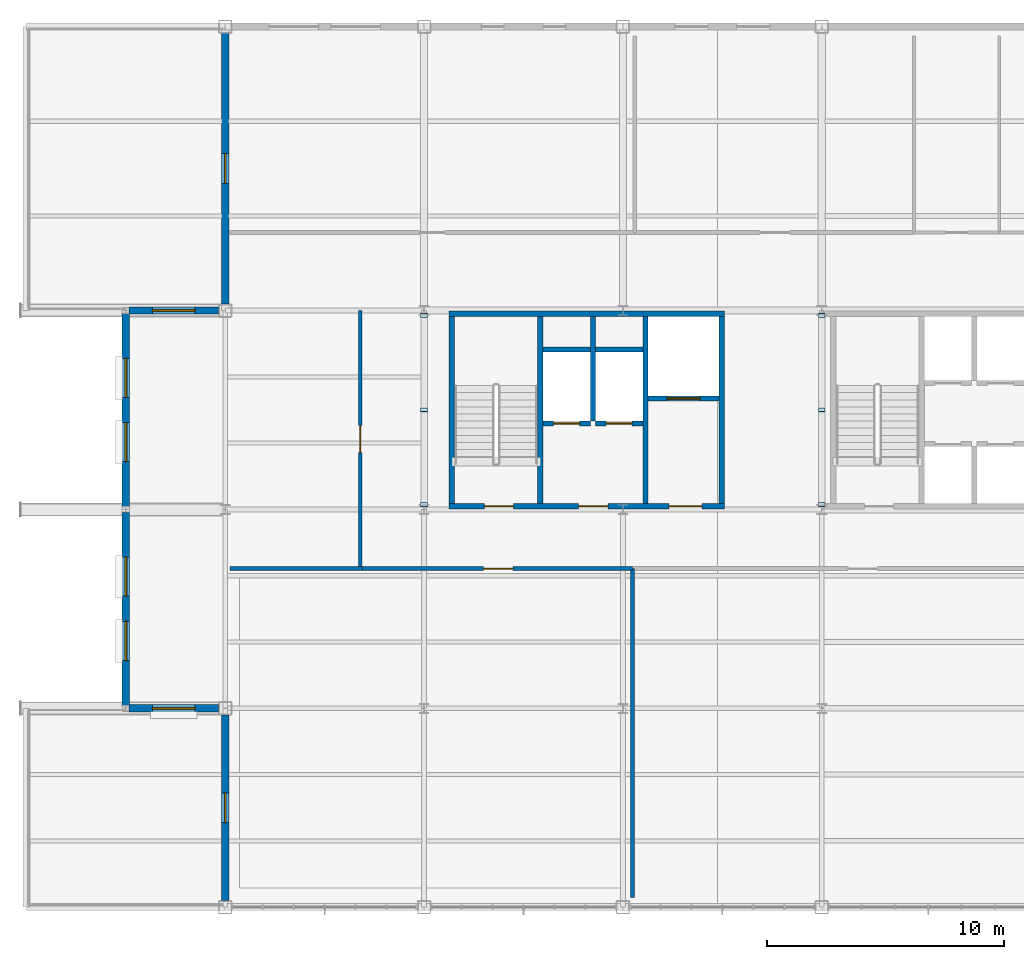
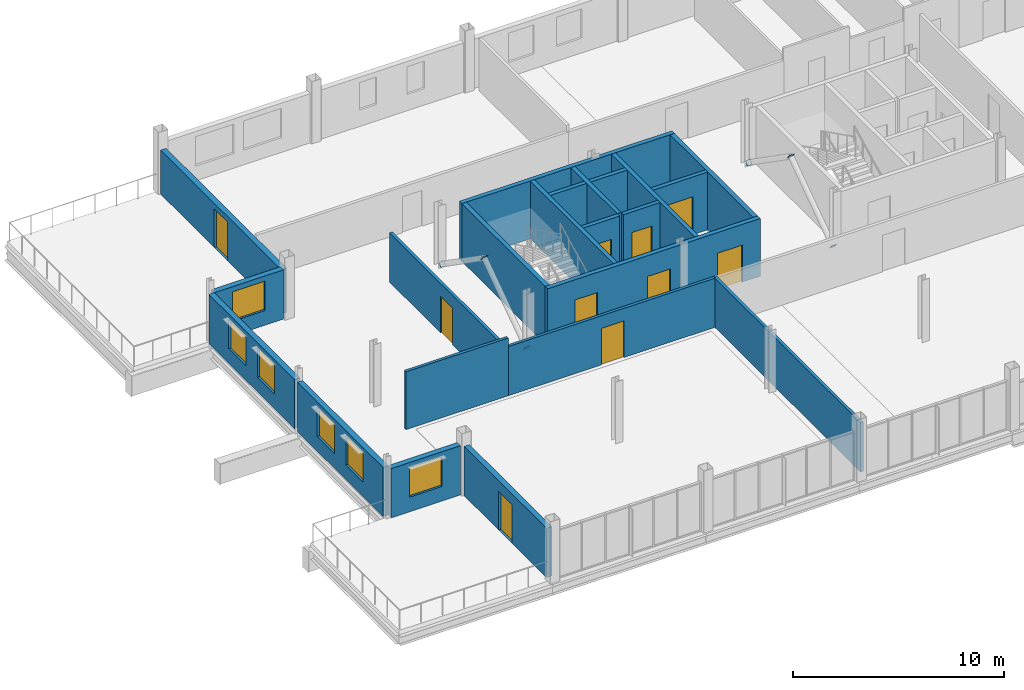
# One storey, part 13 of 18: 22 walls, 10 doors, 6 plates, 6 windows, 16 openings.
"""IFC4 building model written with IfcOpenShell, lengths in metres."""

from ifc_helpers import new_model, si_unit, direction, frame, frame_2d, origin, origin_2d, place, context, subcontext, project, spatial, rectangle, extrude, material, layer, layer_set, type_object, element, fill, save


model = new_model("IFC4")

# Units and contexts
model_context = context("Model", 3, precision=1e-05, world=origin(), true_north=direction((0.0, 1.0)))
body_context = subcontext(model_context, "Body", "Model", "MODEL_VIEW")
ifc_project = project(units=[si_unit("LENGTHUNIT", "METRE"), si_unit("AREAUNIT", "SQUARE_METRE"), si_unit("VOLUMEUNIT", "CUBIC_METRE"), si_unit("PLANEANGLEUNIT", "RADIAN"), si_unit("MASSUNIT", "GRAM", prefix="KILO")], contexts=[model_context])

# Site, building, storey
site_placement = place(None, origin())
site = spatial("IfcSite", under=ifc_project, at=site_placement, CompositionType="ELEMENT")
building_placement = place(site_placement, origin())
building = spatial("IfcBuilding", under=site, at=building_placement, Name="Yukiwa Park Conservatory and Herbarium", CompositionType="ELEMENT")
storey_placement = place(building_placement, frame((0.0, 0.0, 21.0)))
storey = spatial("IfcBuildingStorey", under=building, at=storey_placement, Name="L05", CompositionType="ELEMENT", Elevation=21.0)

# Plates
ifc_material_1 = material(Name="Steel Q355D", Category="steel")
ifc_layer_1 = layer(ifc_material_1, 0.02392578125)
ifc_layer_set_1 = layer_set([ifc_layer_1], Name="Steel Q355D")
plate_type = type_object("IfcPlateType", Name="PL-CAP-24-INT", PredefinedType="USERDEFINED", material=ifc_layer_set_1)
for number, where, z_axis, x_axis, name in (
    (1, (133.199951171875, 95.011962890625, 0.197265625), (0.0, -0.822557603224, -0.56868179976), (1.0, 0.0, 0.0), "Hollow section end cap plate CAP-BR-L05-033A"),
    (2, (133.199951171875, 98.993408203125, 2.970458984375), (0.0, 0.822557603224, 0.56868179976), (-1.0, 0.0, 0.0), "Hollow section end cap plate CAP-BR-L05-033B"),
    (3, (133.199951171875, 102.988037109375, 0.197265625), (0.0, 0.822557603224, -0.56868179976), (-1.0, 0.0, 0.0), "Hollow section end cap plate CAP-BR-L05-034A"),
    (4, (150.0, 95.011962890625, 0.197265625), (0.0, -0.822557603224, -0.56868179976), (1.0, 0.0, 0.0), "Hollow section end cap plate CAP-BR-L05-035A"),
    (5, (150.0, 98.993408203125, 2.970458984375), (0.0, 0.822557603224, 0.56868179976), (-1.0, 0.0, 0.0), "Hollow section end cap plate CAP-BR-L05-035B"),
    (6, (150.0, 102.988037109375, 0.197265625), (0.0, 0.822557603224, -0.56868179976), (-1.0, 0.0, 0.0), "Hollow section end cap plate CAP-BR-L05-036A"),
):
    element("IfcPlate", number, at=place(storey_placement, frame(where, z_axis=z_axis, x_axis=x_axis)), inside=storey, type_object=plate_type, Name=name, ObjectType="END CAP PLATE", PredefinedType="USERDEFINED", context=body_context, shape_type="SweptSolid", body=[
        extrude(rectangle(XDim=0.281005859375, YDim=0.281005859375, at=origin_2d()), origin(), (0.0, 0.0, 1.0), 0.02392578125),
    ])

# Walls
ifc_material_2 = material(Name="Concrete C40", Category="concrete")
ifc_layer_2 = layer(ifc_material_2, 0.219970703125)
ifc_layer_set_2 = layer_set([ifc_layer_2], Name="Concrete C40")
wall_type_1 = type_object("IfcWallType", Name="WL-CORE-RC220", PredefinedType="SHEAR", material=ifc_layer_set_2)
wall_1_placement = place(storey_placement, frame((138.110107421875, 95.050048828125, 0.0), z_axis=(0.0, 0.0, 1.0), x_axis=(0.0, 1.0, 0.0)))
element("IfcWall", 7, at=wall_1_placement, inside=storey, type_object=wall_type_1, Name="L05 core shear wall 389", PredefinedType="SHEAR", context=body_context, shape_type="SweptSolid", body=[
    extrude(rectangle(XDim=7.89990234375, YDim=0.219970703125, at=frame_2d((3.949951171875, 0.0))), origin(), (0.0, 0.0, 1.0), 3.35009765625),
])
wall_2_placement = place(storey_placement, frame((140.330078125, 98.5400390625, 0.0), z_axis=(0.0, 0.0, 1.0), x_axis=(0.0, 1.0, 0.0)))
element("IfcWall", 8, at=wall_2_placement, inside=storey, type_object=wall_type_1, Name="L05 core shear wall 390", PredefinedType="SHEAR", context=body_context, shape_type="SweptSolid", body=[
    extrude(rectangle(XDim=4.409912109375, YDim=0.219970703125, at=frame_2d((2.205078125, 0.0))), origin(), (0.0, 0.0, 1.0), 3.35009765625),
])
wall_3_placement = place(storey_placement, frame((142.550048828125, 95.050048828125, 0.0), z_axis=(0.0, 0.0, 1.0), x_axis=(0.0, 1.0, 0.0)))
element("IfcWall", 9, at=wall_3_placement, inside=storey, type_object=wall_type_1, Name="L05 core shear wall 391", PredefinedType="SHEAR", context=body_context, shape_type="SweptSolid", body=[
    extrude(rectangle(XDim=7.89990234375, YDim=0.219970703125, at=frame_2d((3.949951171875, 0.0))), origin(), (0.0, 0.0, 1.0), 3.35009765625),
])

# Wall, opening, door
wall_4_placement = place(storey_placement, frame((138.219970703125, 98.429931640625, 0.0), z_axis=(0.0, 0.0, 1.0), x_axis=(1.0, 0.0, 0.0)))
wall_4 = element("IfcWall", 10, at=wall_4_placement, inside=storey, type_object=wall_type_1, Name="L05 core shear wall 393", PredefinedType="SHEAR", context=body_context, shape_type="SweptSolid", body=[
    extrude(rectangle(XDim=2.0, YDim=0.219970703125, at=frame_2d((1.0, 0.0))), origin(), (0.0, 0.0, 1.0), 3.35009765625),
])
opening_1_placement = place(wall_4_placement, frame((0.449951171875, 0.0, 0.0)))
opening_1 = element("IfcOpeningElement", 11, at=opening_1_placement, cuts=wall_4, Name="Opening LD-01", PredefinedType="OPENING", context=body_context, shape_type="SweptSolid", body=[
    extrude(rectangle(XDim=1.10009765625, YDim=2.14990234375, at=frame_2d((0.550048828125, 1.074951171875))), frame((0.0, 0.1201171875, 0.0), z_axis=(0.0, -1.0, 0.0), x_axis=(1.0, 0.0, 0.0)), (0.0, 0.0, 1.0), 0.239990234375),
])
ifc_material_3 = material(Name="Steel Q235B", Category="steel")
door_type_1 = type_object("IfcDoorType", Name="DR-LIFT-LD1100", OperationType="SLIDING_TO_LEFT", PredefinedType="DOOR", material=ifc_material_3)
door_1_placement = place(opening_1_placement, origin())
door_1 = element("IfcDoor", 12, at=door_1_placement, inside=storey, type_object=door_type_1, Name="L05 Firefighting Lift FL1 sliding landing door", OperationType="SLIDING_TO_LEFT", OverallHeight=2.14990234375, OverallWidth=1.10009765625, PredefinedType="DOOR", context=body_context, shape_type="SweptSolid", body=[
    extrude(rectangle(XDim=1.10009765625, YDim=2.14990234375, at=frame_2d((0.550048828125, 1.074951171875))), frame((0.0, 0.02490234375, 0.0), z_axis=(0.0, -1.0, 0.0), x_axis=(1.0, 0.0, 0.0)), (0.0, 0.0, 1.0), 0.050048828125),
])
fill(opening_1, door_1)

wall_5_placement = place(storey_placement, frame((140.43994140625, 98.429931640625, 0.0), z_axis=(0.0, 0.0, 1.0), x_axis=(1.0, 0.0, 0.0)))
wall_5 = element("IfcWall", 13, at=wall_5_placement, inside=storey, type_object=wall_type_1, Name="L05 core shear wall 394", PredefinedType="SHEAR", context=body_context, shape_type="SweptSolid", body=[
    extrude(rectangle(XDim=2.0, YDim=0.219970703125, at=frame_2d((1.0, 0.0))), origin(), (0.0, 0.0, 1.0), 3.35009765625),
])
opening_2_placement = place(wall_5_placement, frame((0.449951171875, 0.0, 0.0)))
opening_2 = element("IfcOpeningElement", 14, at=opening_2_placement, cuts=wall_5, Name="Opening LD-01", PredefinedType="OPENING", context=body_context, shape_type="SweptSolid", body=[
    extrude(rectangle(XDim=1.10009765625, YDim=2.14990234375, at=frame_2d((0.550048828125, 1.074951171875))), frame((0.0, 0.1201171875, 0.0), z_axis=(0.0, -1.0, 0.0), x_axis=(1.0, 0.0, 0.0)), (0.0, 0.0, 1.0), 0.239990234375),
])
door_2_placement = place(opening_2_placement, origin())
door_2 = element("IfcDoor", 15, at=door_2_placement, inside=storey, type_object=door_type_1, Name="L05 Firefighting Lift FL2 sliding landing door", OperationType="SLIDING_TO_LEFT", OverallHeight=2.14990234375, OverallWidth=1.10009765625, PredefinedType="DOOR", context=body_context, shape_type="SweptSolid", body=[
    extrude(rectangle(XDim=1.10009765625, YDim=2.14990234375, at=frame_2d((0.550048828125, 1.074951171875))), frame((0.0, 0.02490234375, 0.0), z_axis=(0.0, -1.0, 0.0), x_axis=(1.0, 0.0, 0.0)), (0.0, 0.0, 1.0), 0.050048828125),
])
fill(opening_2, door_2)

# Walls
for number, where, z_axis, x_axis, name in (
    (16, (138.219970703125, 101.550048828125, 0.0), (0.0, 0.0, 1.0), (1.0, 0.0, 0.0), "L05 core shear wall 395"),
    (17, (140.43994140625, 101.550048828125, 0.0), (0.0, 0.0, 1.0), (1.0, 0.0, 0.0), "L05 core shear wall 396"),
):
    element("IfcWall", number, at=place(storey_placement, frame(where, z_axis=z_axis, x_axis=x_axis)), inside=storey, type_object=wall_type_1, Name=name, PredefinedType="SHEAR", context=body_context, shape_type="SweptSolid", body=[
        extrude(rectangle(XDim=2.0, YDim=0.219970703125, at=frame_2d((1.0, 0.0))), origin(), (0.0, 0.0, 1.0), 3.35009765625),
    ])

# Wall, opening, door
wall_6_placement = place(storey_placement, frame((142.659912109375, 99.489990234375, 0.0), z_axis=(0.0, 0.0, 1.0), x_axis=(1.0, 0.0, 0.0)))
wall_6 = element("IfcWall", 18, at=wall_6_placement, inside=storey, type_object=wall_type_1, Name="L05 core shear wall 397", PredefinedType="SHEAR", context=body_context, shape_type="SweptSolid", body=[
    extrude(rectangle(XDim=3.0, YDim=0.219970703125, at=frame_2d((1.5, 0.0))), origin(), (0.0, 0.0, 1.0), 3.35009765625),
])
opening_3_placement = place(wall_6_placement, frame((0.800048828125, 0.0, 0.0)))
opening_3 = element("IfcOpeningElement", 19, at=opening_3_placement, cuts=wall_6, Name="Opening LD-02", PredefinedType="OPENING", context=body_context, shape_type="SweptSolid", body=[
    extrude(rectangle(XDim=1.39990234375, YDim=2.199951171875, at=frame_2d((0.699951171875, 1.10009765625))), frame((0.0, 0.1201171875, 0.0), z_axis=(0.0, -1.0, 0.0), x_axis=(1.0, 0.0, 0.0)), (0.0, 0.0, 1.0), 0.239990234375),
])
ifc_material_4 = material(Name="Steel Q235B", Category="steel")
door_type_2 = type_object("IfcDoorType", Name="DR-LIFT-LD1400", OperationType="SLIDING_TO_LEFT", PredefinedType="DOOR", material=ifc_material_4)
door_3_placement = place(opening_3_placement, origin())
door_3 = element("IfcDoor", 20, at=door_3_placement, inside=storey, type_object=door_type_2, Name="L05 Goods Lift GL1 sliding landing door", OperationType="SLIDING_TO_LEFT", OverallHeight=2.199951171875, OverallWidth=1.39990234375, PredefinedType="DOOR", context=body_context, shape_type="SweptSolid", body=[
    extrude(rectangle(XDim=1.39990234375, YDim=2.199951171875, at=frame_2d((0.699951171875, 1.10009765625))), frame((0.0, 0.02490234375, 0.0), z_axis=(0.0, -1.0, 0.0), x_axis=(1.0, 0.0, 0.0)), (0.0, 0.0, 1.0), 0.050048828125),
])
fill(opening_3, door_3)

# Wall, openings, doors
ifc_material_5 = material(Name="Concrete C50", Category="concrete")
ifc_layer_3 = layer(ifc_material_5, 0.239990234375)
ifc_layer_set_3 = layer_set([ifc_layer_3], Name="Concrete C50")
wall_type_2 = type_object("IfcWallType", Name="WL-CORE-RC240", PredefinedType="SHEAR", material=ifc_layer_set_3)
wall_7_placement = place(storey_placement, frame((134.25, 94.929931640625, 0.0), z_axis=(0.0, 0.0, 1.0), x_axis=(1.0, 0.0, 0.0)))
wall_7 = element("IfcWall", 21, at=wall_7_placement, inside=storey, type_object=wall_type_2, Name="L05 core shear wall 386", PredefinedType="SHEAR", context=body_context, shape_type="SweptSolid", body=[
    extrude(rectangle(XDim=11.64990234375, YDim=0.239990234375, at=frame_2d((5.824951171875, 0.0))), origin(), (0.0, 0.0, 1.0), 3.35009765625),
])
opening_4_placement = place(wall_7_placement, frame((1.5, 0.0, 0.0)))
opening_4 = element("IfcOpeningElement", 22, at=opening_4_placement, cuts=wall_7, Name="Opening SD-01", PredefinedType="OPENING", context=body_context, shape_type="SweptSolid", body=[
    extrude(rectangle(XDim=1.219970703125, YDim=2.179931640625, at=frame_2d((0.60986328125, 1.08984375))), frame((0.0, 0.1298828125, 0.0), z_axis=(0.0, -1.0, 0.0), x_axis=(1.0, 0.0, 0.0)), (0.0, 0.0, 1.0), 0.260009765625),
])
opening_5_placement = place(wall_7_placement, frame((5.47998046875, 0.0, 0.0)))
opening_5 = element("IfcOpeningElement", 23, at=opening_5_placement, cuts=wall_7, Name="Opening FD-02", PredefinedType="OPENING", context=body_context, shape_type="SweptSolid", body=[
    extrude(rectangle(XDim=1.239990234375, YDim=2.14990234375, at=frame_2d((0.6201171875, 1.074951171875))), frame((0.0, 0.1298828125, 0.0), z_axis=(0.0, -1.0, 0.0), x_axis=(1.0, 0.0, 0.0)), (0.0, 0.0, 1.0), 0.260009765625),
])
opening_6_placement = place(wall_7_placement, frame((9.300048828125, 0.0, 0.0)))
opening_6 = element("IfcOpeningElement", 24, at=opening_6_placement, cuts=wall_7, Name="Opening FD-06", PredefinedType="OPENING", context=body_context, shape_type="SweptSolid", body=[
    extrude(rectangle(XDim=1.3798828125, YDim=2.14990234375, at=frame_2d((0.68994140625, 1.074951171875))), frame((0.0, 0.1298828125, 0.0), z_axis=(0.0, -1.0, 0.0), x_axis=(1.0, 0.0, 0.0)), (0.0, 0.0, 1.0), 0.260009765625),
])
ifc_material_6 = material(Name="Steel Q235B", Category="steel")
door_type_3 = type_object("IfcDoorType", Name="DR-FIRE-FD60-1400", OperationType="DOUBLE_DOOR_SINGLE_SWING", PredefinedType="DOOR", material=ifc_material_6)
door_4_placement = place(opening_6_placement, frame((1.3798828125, 0.0, 0.0), z_axis=(0.0, 0.0, 1.0), x_axis=(-1.0, 0.0, 0.0)))
door_4 = element("IfcDoor", 25, at=door_4_placement, inside=storey, type_object=door_type_3, Name="L05 Goods Lift Lobby double fire door", OperationType="DOUBLE_DOOR_SINGLE_SWING", OverallHeight=2.14990234375, OverallWidth=1.3798828125, PredefinedType="DOOR", context=body_context, shape_type="SweptSolid", body=[
    extrude(rectangle(XDim=1.3798828125, YDim=2.14990234375, at=frame_2d((0.68994140625, 1.074951171875))), frame((0.0, 0.02490234375, 0.0), z_axis=(0.0, -1.0, 0.0), x_axis=(1.0, 0.0, 0.0)), (0.0, 0.0, 1.0), 0.050048828125),
])
fill(opening_6, door_4)
ifc_material_7 = material(Name="Steel Q235B", Category="steel")
door_type_4 = type_object("IfcDoorType", Name="DR-FIRE-FD90-1200", OperationType="SINGLE_SWING_RIGHT", PredefinedType="DOOR", material=ifc_material_7)
door_5_placement = place(opening_5_placement, frame((1.239990234375, 0.0, 0.0), z_axis=(0.0, 0.0, 1.0), x_axis=(-1.0, 0.0, 0.0)))
door_5 = element("IfcDoor", 26, at=door_5_placement, inside=storey, type_object=door_type_4, Name="L05 Firefighting Lift Lobby fire door", OperationType="SINGLE_SWING_RIGHT", OverallHeight=2.14990234375, OverallWidth=1.239990234375, PredefinedType="DOOR", context=body_context, shape_type="SweptSolid", body=[
    extrude(rectangle(XDim=1.239990234375, YDim=2.14990234375, at=frame_2d((0.6201171875, 1.074951171875))), frame((0.0, 0.02490234375, 0.0), z_axis=(0.0, -1.0, 0.0), x_axis=(1.0, 0.0, 0.0)), (0.0, 0.0, 1.0), 0.050048828125),
])
fill(opening_5, door_5)
ifc_material_8 = material(Name="Steel Q235B", Category="steel")
door_type_5 = type_object("IfcDoorType", Name="DR-STAIR-FD90-1200", OperationType="SINGLE_SWING_LEFT", PredefinedType="DOOR", material=ifc_material_8)
door_6_placement = place(opening_4_placement, origin())
door_6 = element("IfcDoor", 27, at=door_6_placement, inside=storey, type_object=door_type_5, Name="L05 Stairwell ST-T1 fire door", OperationType="SINGLE_SWING_LEFT", OverallHeight=2.179931640625, OverallWidth=1.219970703125, PredefinedType="DOOR", context=body_context, shape_type="SweptSolid", body=[
    extrude(rectangle(XDim=1.219970703125, YDim=2.179931640625, at=frame_2d((0.60986328125, 1.08984375))), frame((0.0, 0.02490234375, 0.0), z_axis=(0.0, -1.0, 0.0), x_axis=(1.0, 0.0, 0.0)), (0.0, 0.0, 1.0), 0.050048828125),
])
fill(opening_4, door_6)

# Walls
wall_8_placement = place(storey_placement, frame((134.25, 103.070068359375, 0.0), z_axis=(0.0, 0.0, 1.0), x_axis=(1.0, 0.0, 0.0)))
element("IfcWall", 28, at=wall_8_placement, inside=storey, type_object=wall_type_2, Name="L05 core shear wall 387", PredefinedType="SHEAR", context=body_context, shape_type="SweptSolid", body=[
    extrude(rectangle(XDim=11.64990234375, YDim=0.239990234375, at=frame_2d((5.824951171875, 0.0))), origin(), (0.0, 0.0, 1.0), 3.35009765625),
])
for number, where, z_axis, x_axis, name in (
    (29, (134.3701171875, 95.050048828125, 0.0), (0.0, 0.0, 1.0), (0.0, 1.0, 0.0), "L05 core shear wall 388"),
    (30, (145.780029296875, 95.050048828125, 0.0), (0.0, 0.0, 1.0), (0.0, 1.0, 0.0), "L05 core shear wall 392"),
):
    element("IfcWall", number, at=place(storey_placement, frame(where, z_axis=z_axis, x_axis=x_axis)), inside=storey, type_object=wall_type_2, Name=name, PredefinedType="SHEAR", context=body_context, shape_type="SweptSolid", body=[
        extrude(rectangle(XDim=7.89990234375, YDim=0.239990234375, at=frame_2d((3.949951171875, 0.0))), origin(), (0.0, 0.0, 1.0), 3.35009765625),
    ])

# Wall, opening, window
ifc_material_9 = material(Name="Pale Granite Cladding", Category="masonry")
ifc_layer_4 = layer(ifc_material_9, 0.300048828125)
ifc_layer_set_4 = layer_set([ifc_layer_4], Name="Pale Granite Cladding")
wall_type_3 = type_object("IfcWallType", Name="WL-EXT-GRAN-300", PredefinedType="SOLIDWALL", material=ifc_layer_set_4)
wall_9_placement = place(storey_placement, frame((120.72509765625, 86.39990234375, 0.0), z_axis=(0.0, 0.0, 1.0), x_axis=(1.0, 0.0, 0.0)))
wall_9 = element("IfcWall", 31, at=wall_9_placement, inside=storey, type_object=wall_type_3, Name="L05 exterior envelope wall 275", PredefinedType="SOLIDWALL", context=body_context, shape_type="SweptSolid", body=[
    extrude(rectangle(XDim=3.7998046875, YDim=0.300048828125, at=frame_2d((1.89990234375, 0.0))), origin(), (0.0, 0.0, 1.0), 2.85595703125),
])
opening_7_placement = place(wall_9_placement, frame((1.0, 0.0, 0.85009765625)))
opening_7 = element("IfcOpeningElement", 32, at=opening_7_placement, cuts=wall_9, Name="Opening W-07", PredefinedType="OPENING", context=body_context, shape_type="SweptSolid", body=[
    extrude(rectangle(XDim=1.800048828125, YDim=1.7099609375, at=frame_2d((0.89990234375, 0.85498046875))), frame((0.0, 0.16015625, 0.0), z_axis=(0.0, -1.0, 0.0), x_axis=(1.0, 0.0, 0.0)), (0.0, 0.0, 1.0), 0.320068359375),
])
ifc_material_10 = material(Name="Triple Low-E Insulated Glass", Category="glass")
window_type_1 = type_object("IfcWindowType", Name="WN-TW-1800X2100", PartitioningType="SINGLE_PANEL", PredefinedType="WINDOW", material=ifc_material_10)
window_1_placement = place(opening_7_placement, origin())
window_1 = element("IfcWindow", 33, at=window_1_placement, inside=storey, type_object=window_type_1, Name="L05 deep-reveal triple-glazed window 219", OverallHeight=1.7099609375, OverallWidth=1.800048828125, PartitioningType="SINGLE_PANEL", PredefinedType="WINDOW", context=body_context, shape_type="SweptSolid", body=[
    extrude(rectangle(XDim=1.800048828125, YDim=1.7099609375, at=frame_2d((0.89990234375, 0.85498046875))), frame((0.0, 0.030029296875, 0.0), z_axis=(0.0, -1.0, 0.0), x_axis=(1.0, 0.0, 0.0)), (0.0, 0.0, 1.0), 0.06005859375),
])
fill(opening_7, window_1)

# Wall, opening, door
wall_10_placement = place(storey_placement, frame((124.800048828125, 86.125, 0.0), z_axis=(0.0, 0.0, 1.0), x_axis=(0.0, -1.0, 0.0)))
wall_10 = element("IfcWall", 34, at=wall_10_placement, inside=storey, type_object=wall_type_3, Name="L05 exterior envelope wall 276", PredefinedType="SOLIDWALL", context=body_context, shape_type="SweptSolid", body=[
    extrude(rectangle(XDim=7.85009765625, YDim=0.300048828125, at=frame_2d((3.925048828125, 0.0))), origin(), (0.0, 0.0, 1.0), 2.85009765625),
])
opening_8_placement = place(wall_10_placement, frame((3.294921875, 0.0, 0.0)))
opening_8 = element("IfcOpeningElement", 35, at=opening_8_placement, cuts=wall_10, Name="Opening TD-01", PredefinedType="OPENING", context=body_context, shape_type="SweptSolid", body=[
    extrude(rectangle(XDim=1.260009765625, YDim=2.239990234375, at=frame_2d((0.6298828125, 1.1201171875))), frame((0.0, 0.16015625, 0.0), z_axis=(0.0, -1.0, 0.0), x_axis=(1.0, 0.0, 0.0)), (0.0, 0.0, 1.0), 0.320068359375),
])
ifc_material_11 = material(Name="Steel Q235B", Category="steel")
door_type_6 = type_object("IfcDoorType", Name="DR-EXT-TER1200", OperationType="SINGLE_SWING_LEFT", PredefinedType="DOOR", material=ifc_material_11)
door_7_placement = place(opening_8_placement, frame((1.260009765625, 0.0, 0.0), z_axis=(0.0, 0.0, 1.0), x_axis=(-1.0, 0.0, 0.0)))
door_7 = element("IfcDoor", 36, at=door_7_placement, inside=storey, type_object=door_type_6, Name="L05 South-West Sky Terrace door", OperationType="SINGLE_SWING_LEFT", OverallHeight=2.239990234375, OverallWidth=1.260009765625, PredefinedType="DOOR", context=body_context, shape_type="SweptSolid", body=[
    extrude(rectangle(XDim=1.260009765625, YDim=2.239990234375, at=frame_2d((0.6298828125, 1.1201171875))), frame((0.0, 0.02490234375, 0.0), z_axis=(0.0, -1.0, 0.0), x_axis=(1.0, 0.0, 0.0)), (0.0, 0.0, 1.0), 0.050048828125),
])
fill(opening_8, door_7)

wall_11_placement = place(storey_placement, frame((124.800048828125, 114.925048828125, 0.0), z_axis=(0.0, 0.0, 1.0), x_axis=(0.0, -1.0, 0.0)))
wall_11 = element("IfcWall", 37, at=wall_11_placement, inside=storey, type_object=wall_type_3, Name="L05 exterior envelope wall 285", PredefinedType="SOLIDWALL", context=body_context, shape_type="SweptSolid", body=[
    extrude(rectangle(XDim=11.449951171875, YDim=0.300048828125, at=frame_2d((5.72509765625, 0.0))), origin(), (0.0, 0.0, 1.0), 2.55810546875),
])
opening_9_placement = place(wall_11_placement, frame((5.094970703125, 0.0, 0.0)))
opening_9 = element("IfcOpeningElement", 38, at=opening_9_placement, cuts=wall_11, Name="Opening TD-01", PredefinedType="OPENING", context=body_context, shape_type="SweptSolid", body=[
    extrude(rectangle(XDim=1.260009765625, YDim=2.239990234375, at=frame_2d((0.6298828125, 1.1201171875))), frame((0.0, 0.16015625, 0.0), z_axis=(0.0, -1.0, 0.0), x_axis=(1.0, 0.0, 0.0)), (0.0, 0.0, 1.0), 0.320068359375),
])
door_8_placement = place(opening_9_placement, frame((1.260009765625, 0.0, 0.0), z_axis=(0.0, 0.0, 1.0), x_axis=(-1.0, 0.0, 0.0)))
door_8 = element("IfcDoor", 39, at=door_8_placement, inside=storey, type_object=door_type_6, Name="L05 North-West Sky Terrace door", OperationType="SINGLE_SWING_LEFT", OverallHeight=2.239990234375, OverallWidth=1.260009765625, PredefinedType="DOOR", context=body_context, shape_type="SweptSolid", body=[
    extrude(rectangle(XDim=1.260009765625, YDim=2.239990234375, at=frame_2d((0.6298828125, 1.1201171875))), frame((0.0, 0.02490234375, 0.0), z_axis=(0.0, -1.0, 0.0), x_axis=(1.0, 0.0, 0.0)), (0.0, 0.0, 1.0), 0.050048828125),
])
fill(opening_9, door_8)

# Wall, opening, window
wall_12_placement = place(storey_placement, frame((124.52490234375, 103.199951171875, 0.0), z_axis=(0.0, 0.0, 1.0), x_axis=(-1.0, 0.0, 0.0)))
wall_12 = element("IfcWall", 40, at=wall_12_placement, inside=storey, type_object=wall_type_3, Name="L05 exterior envelope wall 286", PredefinedType="SOLIDWALL", context=body_context, shape_type="SweptSolid", body=[
    extrude(rectangle(XDim=3.7998046875, YDim=0.300048828125, at=frame_2d((1.89990234375, 0.0))), origin(), (0.0, 0.0, 1.0), 2.85595703125),
])
opening_10_placement = place(wall_12_placement, frame((1.0, 0.0, 0.85009765625)))
opening_10 = element("IfcOpeningElement", 41, at=opening_10_placement, cuts=wall_12, Name="Opening W-07", PredefinedType="OPENING", context=body_context, shape_type="SweptSolid", body=[
    extrude(rectangle(XDim=1.800048828125, YDim=1.7099609375, at=frame_2d((0.89990234375, 0.85498046875))), frame((0.0, 0.16015625, 0.0), z_axis=(0.0, -1.0, 0.0), x_axis=(1.0, 0.0, 0.0)), (0.0, 0.0, 1.0), 0.320068359375),
])
window_2_placement = place(opening_10_placement, origin())
window_2 = element("IfcWindow", 42, at=window_2_placement, inside=storey, type_object=window_type_1, Name="L05 deep-reveal triple-glazed window 228", OverallHeight=1.7099609375, OverallWidth=1.800048828125, PartitioningType="SINGLE_PANEL", PredefinedType="WINDOW", context=body_context, shape_type="SweptSolid", body=[
    extrude(rectangle(XDim=1.800048828125, YDim=1.7099609375, at=frame_2d((0.89990234375, 0.85498046875))), frame((0.0, 0.030029296875, 0.0), z_axis=(0.0, -1.0, 0.0), x_axis=(1.0, 0.0, 0.0)), (0.0, 0.0, 1.0), 0.06005859375),
])
fill(opening_10, window_2)

# Wall, openings, windows
wall_13_placement = place(storey_placement, frame((120.60009765625, 103.074951171875, 0.0), z_axis=(0.0, 0.0, 1.0), x_axis=(0.0, -1.0, 0.0)))
wall_13 = element("IfcWall", 43, at=wall_13_placement, inside=storey, type_object=wall_type_3, Name="L05 exterior envelope wall 287", PredefinedType="SOLIDWALL", context=body_context, shape_type="SweptSolid", body=[
    extrude(rectangle(XDim=8.14990234375, YDim=0.300048828125, at=frame_2d((4.074951171875, 0.0))), origin(), (0.0, 0.0, 1.0), 2.85009765625),
])
opening_11_placement = place(wall_13_placement, frame((1.89208984375, 0.0, 0.85009765625)))
opening_11 = element("IfcOpeningElement", 44, at=opening_11_placement, cuts=wall_13, Name="Opening W-06", PredefinedType="OPENING", context=body_context, shape_type="SweptSolid", body=[
    extrude(rectangle(XDim=1.64990234375, YDim=1.699951171875, at=frame_2d((0.824951171875, 0.85009765625))), frame((0.0, 0.16015625, 0.0), z_axis=(0.0, -1.0, 0.0), x_axis=(1.0, 0.0, 0.0)), (0.0, 0.0, 1.0), 0.320068359375),
])
opening_12_placement = place(wall_13_placement, frame((4.60791015625, 0.0, 0.85009765625)))
opening_12 = element("IfcOpeningElement", 45, at=opening_12_placement, cuts=wall_13, Name="Opening W-06", PredefinedType="OPENING", context=body_context, shape_type="SweptSolid", body=[
    extrude(rectangle(XDim=1.64990234375, YDim=1.699951171875, at=frame_2d((0.824951171875, 0.85009765625))), frame((0.0, 0.16015625, 0.0), z_axis=(0.0, -1.0, 0.0), x_axis=(1.0, 0.0, 0.0)), (0.0, 0.0, 1.0), 0.320068359375),
])
ifc_material_12 = material(Name="Triple Low-E Insulated Glass", Category="glass")
window_type_2 = type_object("IfcWindowType", Name="WN-TW-1650X2100", PartitioningType="SINGLE_PANEL", PredefinedType="WINDOW", material=ifc_material_12)
window_3_placement = place(opening_11_placement, origin())
window_3 = element("IfcWindow", 46, at=window_3_placement, inside=storey, type_object=window_type_2, Name="L05 deep-reveal triple-glazed window 229", OverallHeight=1.699951171875, OverallWidth=1.64990234375, PartitioningType="SINGLE_PANEL", PredefinedType="WINDOW", context=body_context, shape_type="SweptSolid", body=[
    extrude(rectangle(XDim=1.64990234375, YDim=1.699951171875, at=frame_2d((0.824951171875, 0.85009765625))), frame((0.0, 0.030029296875, 0.0), z_axis=(0.0, -1.0, 0.0), x_axis=(1.0, 0.0, 0.0)), (0.0, 0.0, 1.0), 0.06005859375),
])
fill(opening_11, window_3)
window_4_placement = place(opening_12_placement, origin())
window_4 = element("IfcWindow", 47, at=window_4_placement, inside=storey, type_object=window_type_2, Name="L05 deep-reveal triple-glazed window 230", OverallHeight=1.699951171875, OverallWidth=1.64990234375, PartitioningType="SINGLE_PANEL", PredefinedType="WINDOW", context=body_context, shape_type="SweptSolid", body=[
    extrude(rectangle(XDim=1.64990234375, YDim=1.699951171875, at=frame_2d((0.824951171875, 0.85009765625))), frame((0.0, 0.030029296875, 0.0), z_axis=(0.0, -1.0, 0.0), x_axis=(1.0, 0.0, 0.0)), (0.0, 0.0, 1.0), 0.06005859375),
])
fill(opening_12, window_4)

wall_14_placement = place(storey_placement, frame((120.60009765625, 94.675048828125, 0.0), z_axis=(0.0, 0.0, 1.0), x_axis=(0.0, -1.0, 0.0)))
wall_14 = element("IfcWall", 48, at=wall_14_placement, inside=storey, type_object=wall_type_3, Name="L05 exterior envelope wall 288", PredefinedType="SOLIDWALL", context=body_context, shape_type="SweptSolid", body=[
    extrude(rectangle(XDim=8.150146484375, YDim=0.300048828125, at=frame_2d((4.0751953125, 0.0))), origin(), (0.0, 0.0, 1.0), 2.85009765625),
])
opening_13_placement = place(wall_14_placement, frame((1.89208984375, 0.0, 0.85009765625)))
opening_13 = element("IfcOpeningElement", 49, at=opening_13_placement, cuts=wall_14, Name="Opening W-06", PredefinedType="OPENING", context=body_context, shape_type="SweptSolid", body=[
    extrude(rectangle(XDim=1.64990234375, YDim=1.699951171875, at=frame_2d((0.824951171875, 0.85009765625))), frame((0.0, 0.16015625, 0.0), z_axis=(0.0, -1.0, 0.0), x_axis=(1.0, 0.0, 0.0)), (0.0, 0.0, 1.0), 0.320068359375),
])
opening_14_placement = place(wall_14_placement, frame((4.60791015625, 0.0, 0.85009765625)))
opening_14 = element("IfcOpeningElement", 50, at=opening_14_placement, cuts=wall_14, Name="Opening W-06", PredefinedType="OPENING", context=body_context, shape_type="SweptSolid", body=[
    extrude(rectangle(XDim=1.64990234375, YDim=1.699951171875, at=frame_2d((0.824951171875, 0.85009765625))), frame((0.0, 0.16015625, 0.0), z_axis=(0.0, -1.0, 0.0), x_axis=(1.0, 0.0, 0.0)), (0.0, 0.0, 1.0), 0.320068359375),
])
window_5_placement = place(opening_13_placement, origin())
window_5 = element("IfcWindow", 51, at=window_5_placement, inside=storey, type_object=window_type_2, Name="L05 deep-reveal triple-glazed window 231", OverallHeight=1.699951171875, OverallWidth=1.64990234375, PartitioningType="SINGLE_PANEL", PredefinedType="WINDOW", context=body_context, shape_type="SweptSolid", body=[
    extrude(rectangle(XDim=1.64990234375, YDim=1.699951171875, at=frame_2d((0.824951171875, 0.85009765625))), frame((0.0, 0.030029296875, 0.0), z_axis=(0.0, -1.0, 0.0), x_axis=(1.0, 0.0, 0.0)), (0.0, 0.0, 1.0), 0.06005859375),
])
fill(opening_13, window_5)
window_6_placement = place(opening_14_placement, origin())
window_6 = element("IfcWindow", 52, at=window_6_placement, inside=storey, type_object=window_type_2, Name="L05 deep-reveal triple-glazed window 232", OverallHeight=1.699951171875, OverallWidth=1.64990234375, PartitioningType="SINGLE_PANEL", PredefinedType="WINDOW", context=body_context, shape_type="SweptSolid", body=[
    extrude(rectangle(XDim=1.64990234375, YDim=1.699951171875, at=frame_2d((0.824951171875, 0.85009765625))), frame((0.0, 0.030029296875, 0.0), z_axis=(0.0, -1.0, 0.0), x_axis=(1.0, 0.0, 0.0)), (0.0, 0.0, 1.0), 0.06005859375),
])
fill(opening_14, window_6)

# Wall, opening, door
ifc_material_13 = material(Name="Gypsum Board Partition", Category="gypsum")
ifc_layer_5 = layer(ifc_material_13, 0.159912109375)
ifc_layer_set_5 = layer_set([ifc_layer_5], Name="Gypsum Board Partition")
wall_type_4 = type_object("IfcWallType", Name="WL-PART-GYP-160", PredefinedType="PARTITIONING", material=ifc_layer_set_5)
wall_15_placement = place(storey_placement, frame((130.60009765625, 92.300048828125, 0.0), z_axis=(0.0, 0.0, 1.0), x_axis=(1.0, 0.0, 0.0)))
wall_15 = element("IfcWall", 53, at=wall_15_placement, inside=storey, type_object=wall_type_4, Name="L05 interior partition wall 420", PredefinedType="PARTITIONING", context=body_context, shape_type="SweptSolid", body=[
    extrude(rectangle(XDim=11.39990234375, YDim=0.159912109375, at=frame_2d((5.699951171875, 0.0))), origin(), (0.0, 0.0, 1.0), 2.85009765625),
])
opening_15_placement = place(wall_15_placement, frame((5.10009765625, 0.0, 0.0)))
opening_15 = element("IfcOpeningElement", 54, at=opening_15_placement, cuts=wall_15, Name="Opening LD-12", PredefinedType="OPENING", context=body_context, shape_type="SweptSolid", body=[
    extrude(rectangle(XDim=1.25, YDim=2.1201171875, at=frame_2d((0.625, 1.06005859375))), frame((0.0, 0.08984375, 0.0), z_axis=(0.0, -1.0, 0.0), x_axis=(1.0, 0.0, 0.0)), (0.0, 0.0, 1.0), 0.179931640625),
])
ifc_material_14 = material(Name="Steel Q235B", Category="steel")
door_type_7 = type_object("IfcDoorType", Name="DR-LAB-1200", OperationType="SINGLE_SWING_LEFT", PredefinedType="DOOR", material=ifc_material_14)
door_9_placement = place(opening_15_placement, origin())
door_9 = element("IfcDoor", 55, at=door_9_placement, inside=storey, type_object=door_type_7, Name="L05 Genetics Research Laboratory door", OperationType="SINGLE_SWING_LEFT", OverallHeight=2.1201171875, OverallWidth=1.25, PredefinedType="DOOR", context=body_context, shape_type="SweptSolid", body=[
    extrude(rectangle(XDim=1.25, YDim=2.1201171875, at=frame_2d((0.625, 1.06005859375))), frame((0.0, 0.02490234375, 0.0), z_axis=(0.0, -1.0, 0.0), x_axis=(1.0, 0.0, 0.0)), (0.0, 0.0, 1.0), 0.050048828125),
])
fill(opening_15, door_9)

# Walls
wall_16_placement = place(storey_placement, frame((125.0, 92.300048828125, 0.0), z_axis=(0.0, 0.0, 1.0), x_axis=(1.0, 0.0, 0.0)))
element("IfcWall", 56, at=wall_16_placement, inside=storey, type_object=wall_type_4, Name="L05 interior partition wall 422", PredefinedType="PARTITIONING", context=body_context, shape_type="SweptSolid", body=[
    extrude(rectangle(XDim=5.60009765625, YDim=0.159912109375, at=frame_2d((2.800048828125, 0.0))), origin(), (0.0, 0.0, 1.0), 3.35009765625),
])
wall_17_placement = place(storey_placement, frame((142.0, 78.39990234375, 0.0), z_axis=(0.0, 0.0, 1.0), x_axis=(0.0, 1.0, 0.0)))
element("IfcWall", 57, at=wall_17_placement, inside=storey, type_object=wall_type_4, Name="L05 interior partition wall 423", PredefinedType="PARTITIONING", context=body_context, shape_type="SweptSolid", body=[
    extrude(rectangle(XDim=13.900146484375, YDim=0.159912109375, at=frame_2d((6.9501953125, 0.0))), origin(), (0.0, 0.0, 1.0), 2.85400390625),
])

# Wall, opening, door
wall_18_placement = place(storey_placement, frame((130.5, 92.300048828125, 0.0), z_axis=(0.0, 0.0, 1.0), x_axis=(0.0, 1.0, 0.0)))
wall_18 = element("IfcWall", 58, at=wall_18_placement, inside=storey, type_object=wall_type_4, Name="L05 interior partition wall 424", PredefinedType="PARTITIONING", context=body_context, shape_type="SweptSolid", body=[
    extrude(rectangle(XDim=10.89990234375, YDim=0.159912109375, at=frame_2d((5.449951171875, 0.0))), origin(), (0.0, 0.0, 1.0), 2.85400390625),
])
opening_16_placement = place(wall_18_placement, frame((4.89990234375, 0.0, 0.0)))
opening_16 = element("IfcOpeningElement", 59, at=opening_16_placement, cuts=wall_18, Name="Opening LD-11", PredefinedType="OPENING", context=body_context, shape_type="SweptSolid", body=[
    extrude(rectangle(XDim=1.139892578125, YDim=2.1201171875, at=frame_2d((0.56982421875, 1.06005859375))), frame((0.0, 0.08984375, 0.0), z_axis=(0.0, -1.0, 0.0), x_axis=(1.0, 0.0, 0.0)), (0.0, 0.0, 1.0), 0.179931640625),
])
ifc_material_15 = material(Name="Steel Q235B", Category="steel")
door_type_8 = type_object("IfcDoorType", Name="DR-LAB-1100", OperationType="SINGLE_SWING_RIGHT", PredefinedType="DOOR", material=ifc_material_15)
door_10_placement = place(opening_16_placement, origin())
door_10 = element("IfcDoor", 60, at=door_10_placement, inside=storey, type_object=door_type_8, Name="L05 Molecular Botany Lab door", OperationType="SINGLE_SWING_RIGHT", OverallHeight=2.1201171875, OverallWidth=1.139892578125, PredefinedType="DOOR", context=body_context, shape_type="SweptSolid", body=[
    extrude(rectangle(XDim=1.139892578125, YDim=2.1201171875, at=frame_2d((0.56982421875, 1.06005859375))), frame((0.0, 0.02490234375, 0.0), z_axis=(0.0, -1.0, 0.0), x_axis=(1.0, 0.0, 0.0)), (0.0, 0.0, 1.0), 0.050048828125),
])
fill(opening_16, door_10)

save(model, "model.ifc")
